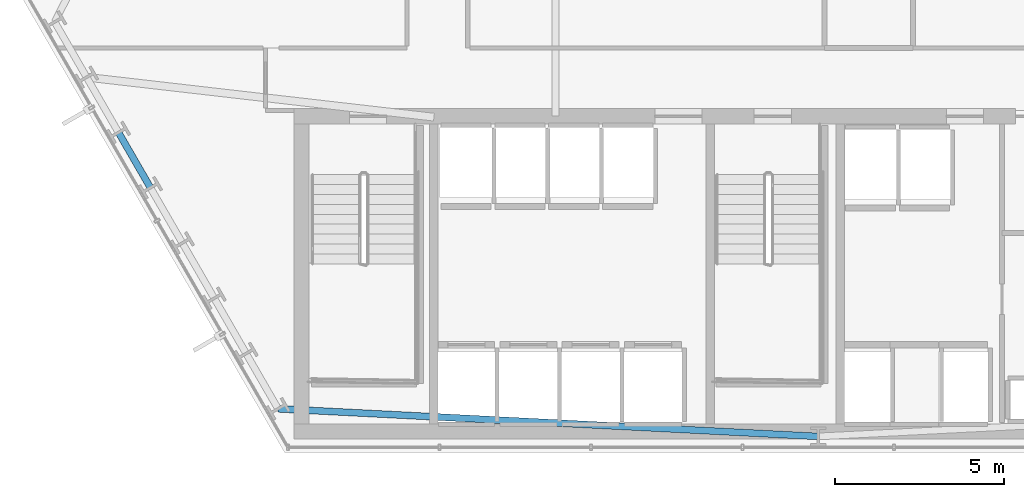
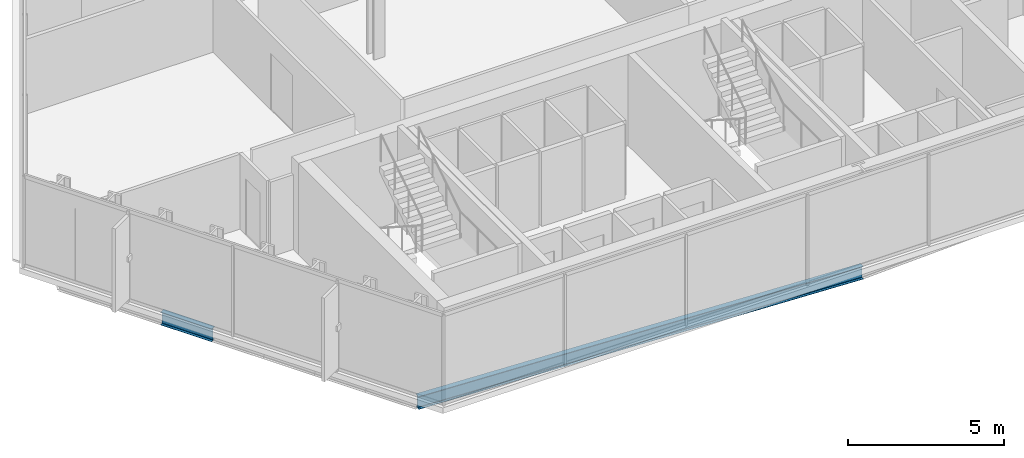
# One storey, part 4 of 32: 2 beams.
"""IFC4 building model written with IfcOpenShell, lengths in metres."""

from ifc_helpers import new_model, si_unit, direction, frame, origin, origin_2d, place, context, subcontext, project, spatial, i_section, extrude, material, material_profile, profile_set, type_object, element, save


model = new_model("IFC4")

# Units and contexts
model_context = context("Model", 3, precision=1e-05, world=origin(), true_north=direction((0.0, 1.0)))
body_context = subcontext(model_context, "Body", "Model", "MODEL_VIEW")
ifc_project = project(units=[si_unit("LENGTHUNIT", "METRE"), si_unit("AREAUNIT", "SQUARE_METRE"), si_unit("VOLUMEUNIT", "CUBIC_METRE"), si_unit("PLANEANGLEUNIT", "RADIAN"), si_unit("MASSUNIT", "GRAM", prefix="KILO")], contexts=[model_context])

# Site, building, storey
site_placement = place(None, origin())
site = spatial("IfcSite", under=ifc_project, at=site_placement, CompositionType="ELEMENT")
building_placement = place(site_placement, origin())
building = spatial("IfcBuilding", under=site, at=building_placement, Name="Ndaravel Arena Tower", CompositionType="ELEMENT")
storey_placement = place(building_placement, frame((0.0, 0.0, 58.800048828125)))
storey = spatial("IfcBuildingStorey", under=building, at=storey_placement, Name="L12", CompositionType="ELEMENT", Elevation=58.800048828125)

# Beams
ifc_material = material(Name="Steel S355", Category="steel")
ifc_material_profile = material_profile(ifc_material, i_section(OverallWidth=0.199951171875, OverallDepth=0.5, WebThickness=0.01025390625, FlangeThickness=0.01611328125, FilletRadius=0.02099609375, at=origin_2d()), Name="IPE 500")
ifc_profile_set = profile_set([ifc_material_profile], Name="Steel S355")
beam_type = type_object("IfcBeamType", Name="BM-SPAN-IPE500", PredefinedType="SPANDREL", material=ifc_profile_set)
beam_1_placement = place(storey_placement, frame((21.244384765625, 14.495849609375, -0.469970703125), z_axis=(0.500064840575, -0.865987964824, 0.0), x_axis=(0.865987964824, 0.500064840575, 0.0)))
element("IfcBeam", 1, at=beam_1_placement, inside=storey, type_object=beam_type, Name="L12 Perimeter Spandrel Beam SP-22", PredefinedType="SPANDREL", context=body_context, shape_type="SweptSolid", body=[
    extrude(i_section(OverallWidth=0.199951171875, OverallDepth=0.5, WebThickness=0.01025390625, FlangeThickness=0.01611328125, FilletRadius=0.02099609375, at=origin_2d()), origin(), (0.0, 0.0, 1.0), 1.892822265625),
])
beam_2_placement = place(storey_placement, frame((25.9765625, 6.299560546875, -0.469970703125), z_axis=(0.998694459714, -0.051082052981, 0.0), x_axis=(0.051082052981, 0.998694459714, 0.0)))
element("IfcBeam", 2, at=beam_2_placement, inside=storey, type_object=beam_type, Name="L12 Perimeter Spandrel Beam SP-27", PredefinedType="SPANDREL", context=body_context, shape_type="SweptSolid", body=[
    extrude(i_section(OverallWidth=0.199951171875, OverallDepth=0.5, WebThickness=0.01025390625, FlangeThickness=0.01611328125, FilletRadius=0.02099609375, at=origin_2d()), origin(), (0.0, 0.0, 1.0), 16.04443359375),
])

save(model, "model.ifc")
